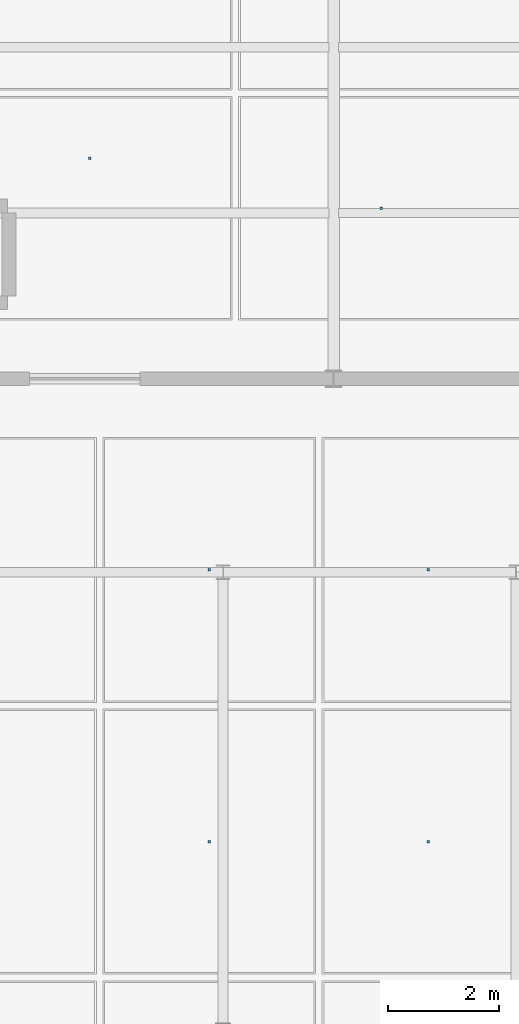
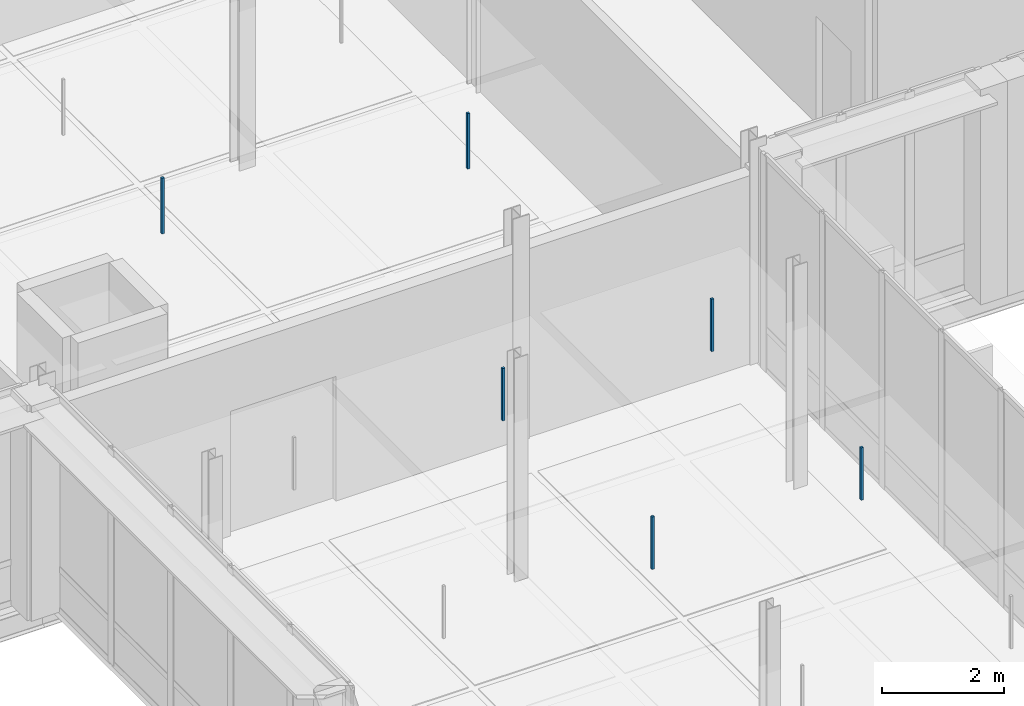
# One storey, part 112 of 140: 6 discrete accessories.
"""IFC4 building model written with IfcOpenShell, lengths in metres."""

from ifc_helpers import new_model, si_unit, direction, frame, origin, origin_2d, place, context, subcontext, project, spatial, rectangle, extrude, material, type_object, element, save


model = new_model("IFC4")

# Units and contexts
model_context = context("Model", 3, precision=1e-05, world=origin(), true_north=direction((0.0, 1.0)))
body_context = subcontext(model_context, "Body", "Model", "MODEL_VIEW")
ifc_project = project(units=[si_unit("LENGTHUNIT", "METRE"), si_unit("AREAUNIT", "SQUARE_METRE"), si_unit("VOLUMEUNIT", "CUBIC_METRE"), si_unit("PLANEANGLEUNIT", "RADIAN"), si_unit("MASSUNIT", "GRAM", prefix="KILO"), si_unit("THERMODYNAMICTEMPERATUREUNIT", "KELVIN"), si_unit("POWERUNIT", "WATT")], contexts=[model_context])

# Site, building, storey
site_placement = place(None, origin())
site = spatial("IfcSite", under=ifc_project, at=site_placement, CompositionType="ELEMENT")
building_placement = place(site_placement, origin())
building = spatial("IfcBuilding", under=site, at=building_placement, Name="Tallowbark Science Centre", CompositionType="ELEMENT")
storey_placement = place(building_placement, frame((0.0, 0.0, 9.89990234375)))
storey = spatial("IfcBuildingStorey", under=building, at=storey_placement, Name="L02", CompositionType="ELEMENT", Elevation=9.89990234375)

# Discrete accessories
ifc_material = material(Name="Galvanised Steel Grade C350L0 (350 MPa)", Category="steel")
discrete_accessory_type = type_object("IfcDiscreteAccessoryType", Name="ACC-CLG-HNG", PredefinedType="BRACKET", material=ifc_material)
for number, where, z_axis, x_axis, name in (
    (1, (105.75, 63.625, 3.20947265625), (0.0, 0.0, 1.0), (1.0, 0.0, 0.0), "Ceiling Hanger Bracket L02-858"),
    (2, (105.75, 68.541748046875, 3.20947265625), (0.0, 0.0, 1.0), (1.0, 0.0, 0.0), "Ceiling Hanger Bracket L02-859"),
    (3, (109.716796875, 63.625, 3.20947265625), (0.0, 0.0, 1.0), (1.0, 0.0, 0.0), "Ceiling Hanger Bracket L02-864"),
    (4, (109.716796875, 68.541748046875, 3.20947265625), (0.0, 0.0, 1.0), (1.0, 0.0, 0.0), "Ceiling Hanger Bracket L02-865"),
):
    element("IfcDiscreteAccessory", number, at=place(storey_placement, frame(where, z_axis=z_axis, x_axis=x_axis)), inside=storey, type_object=discrete_accessory_type, Name=name, PredefinedType="BRACKET", context=body_context, shape_type="SweptSolid", body=[
        extrude(rectangle(XDim=0.044921875, YDim=0.044921875, at=origin_2d()), origin(), (0.0, 0.0, 1.0), 1.053466796875),
    ])
for number, where, z_axis, x_axis, name in (
    (5, (103.583251953125, 75.98828125, 3.205078125), (0.0, 0.0, 1.0), (1.0, 0.0, 0.0), "Ceiling Hanger Bracket L02-899"),
    (6, (108.861083984375, 75.083251953125, 3.205078125), (0.0, 0.0, 1.0), (1.0, 0.0, 0.0), "Ceiling Hanger Bracket L02-905"),
):
    element("IfcDiscreteAccessory", number, at=place(storey_placement, frame(where, z_axis=z_axis, x_axis=x_axis)), inside=storey, type_object=discrete_accessory_type, Name=name, PredefinedType="BRACKET", context=body_context, shape_type="SweptSolid", body=[
        extrude(rectangle(XDim=0.044921875, YDim=0.044921875, at=origin_2d()), origin(), (0.0, 0.0, 1.0), 1.117919921875),
    ])

save(model, "model.ifc")
